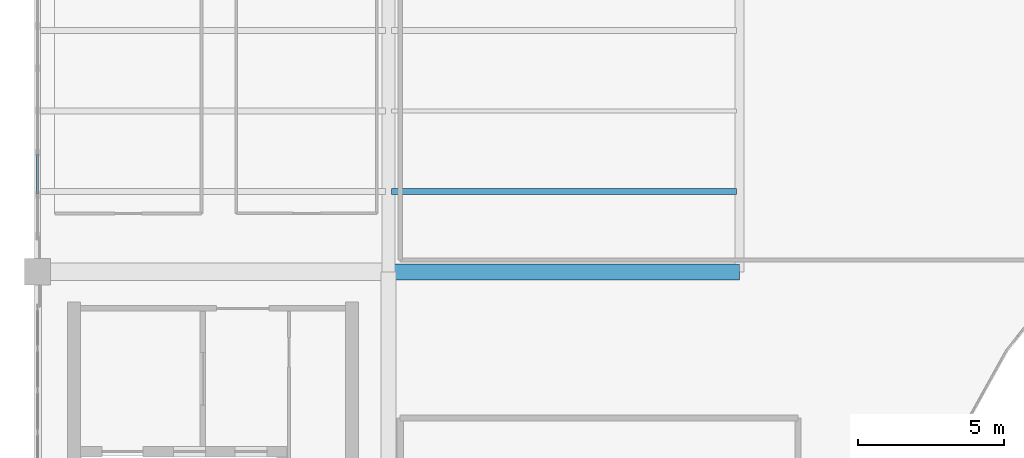
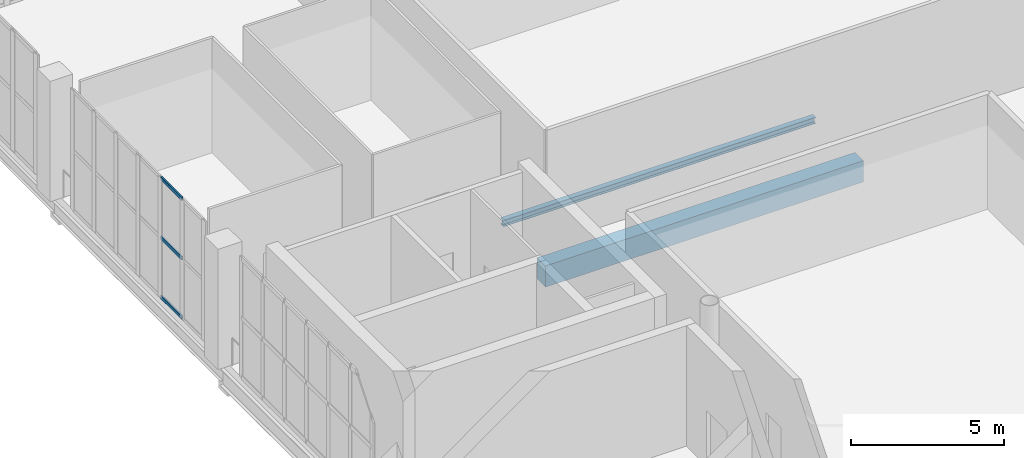
# One storey, part 22 of 49: 3 members, 2 beams, 1 element without a shape of its own.
"""IFC4 building model written with IfcOpenShell, lengths in metres."""

from ifc_helpers import new_model, si_unit, direction, frame, origin, origin_2d, place, context, subcontext, project, spatial, rectangle, hollow_rectangle, i_section, extrude, material, layer, layer_set, material_profile, profile_set, type_object, element, aggregate, save


model = new_model("IFC4")

# Units and contexts
model_context = context("Model", 3, precision=1e-05, world=origin(), true_north=direction((0.0, 1.0)))
body_context = subcontext(model_context, "Body", "Model", "MODEL_VIEW")
ifc_project = project(units=[si_unit("LENGTHUNIT", "METRE"), si_unit("AREAUNIT", "SQUARE_METRE"), si_unit("VOLUMEUNIT", "CUBIC_METRE"), si_unit("PLANEANGLEUNIT", "RADIAN"), si_unit("MASSUNIT", "GRAM", prefix="KILO")], contexts=[model_context])

# Site, building, storey
site_placement = place(None, origin())
site = spatial("IfcSite", under=ifc_project, at=site_placement, CompositionType="ELEMENT")
building_placement = place(site_placement, origin())
building = spatial("IfcBuilding", under=site, at=building_placement, Name="Brinegate Civic Arena", CompositionType="ELEMENT")
storey_placement = place(building_placement, frame((0.0, 0.0, 24.60009765625)))
storey = spatial("IfcBuildingStorey", under=building, at=storey_placement, Name="L05", CompositionType="ELEMENT", Elevation=24.60009765625)

# Curtain wall, members
ifc_material_1 = material(Name="Marine grade aluminium", Category="aluminium")
ifc_layer = layer(ifc_material_1, 0.199951171875, Name="Marine grade aluminium")
ifc_layer_set = layer_set([ifc_layer], Name="Marine grade aluminium")
curtain_wall_type = type_object("IfcCurtainWallType", Name="CW-BOWL-GLAZED-01", PredefinedType="USERDEFINED", material=ifc_layer_set)
curtain_wall_placement = place(storey_placement, origin())
curtain_wall = element("IfcCurtainWall", 1, at=curtain_wall_placement, inside=storey, type_object=curtain_wall_type, Name="Curtain Wall CWA-162", ObjectType="GLAZED CURTAIN WALL", PredefinedType="USERDEFINED")
ifc_material_profile_1 = material_profile(ifc_material_1, hollow_rectangle(XDim=0.06494140625, YDim=0.139892578125, WallThickness=0.0048828125, InnerFilletRadius=0.00390625, OuterFilletRadius=0.008056640625, at=origin_2d()), Name="TRN65X140")
ifc_profile_set_1 = profile_set([ifc_material_profile_1], Name="Marine grade aluminium")
member_type = type_object("IfcMemberType", Name="CW-TRANSOM-65X140", PredefinedType="USERDEFINED", material=ifc_profile_set_1)
member_1_placement = place(storey_placement, frame((48.0, 95.667236328125, 0.032470703125), z_axis=(0.0, 1.0, 0.0), x_axis=(-1.0, 0.0, 0.0)))
member_1 = element("IfcMember", 2, at=member_1_placement, type_object=member_type, Name="CWA-162 transom 2.1", ObjectType="TRANSOM", PredefinedType="USERDEFINED", context=body_context, shape_type="SweptSolid", body=[
    extrude(hollow_rectangle(XDim=0.06494140625, YDim=0.139892578125, WallThickness=0.0048828125, InnerFilletRadius=0.00390625, OuterFilletRadius=0.008056640625, at=origin_2d()), origin(), (0.0, 0.0, 1.0), 1.368896484375),
])
member_2_placement = place(storey_placement, frame((48.0, 95.667236328125, 2.39990234375), z_axis=(0.0, 1.0, 0.0), x_axis=(-1.0, 0.0, 0.0)))
member_2 = element("IfcMember", 3, at=member_2_placement, type_object=member_type, Name="CWA-162 transom 2.2", ObjectType="TRANSOM", PredefinedType="USERDEFINED", context=body_context, shape_type="SweptSolid", body=[
    extrude(hollow_rectangle(XDim=0.06494140625, YDim=0.139892578125, WallThickness=0.0048828125, InnerFilletRadius=0.00390625, OuterFilletRadius=0.008056640625, at=origin_2d()), origin(), (0.0, 0.0, 1.0), 1.368896484375),
])
member_3_placement = place(storey_placement, frame((48.0, 95.667236328125, 4.767333984375), z_axis=(0.0, 1.0, 0.0), x_axis=(-1.0, 0.0, 0.0)))
member_3 = element("IfcMember", 4, at=member_3_placement, type_object=member_type, Name="CWA-162 transom 2.3", ObjectType="TRANSOM", PredefinedType="USERDEFINED", context=body_context, shape_type="SweptSolid", body=[
    extrude(hollow_rectangle(XDim=0.06494140625, YDim=0.139892578125, WallThickness=0.0048828125, InnerFilletRadius=0.00390625, OuterFilletRadius=0.008056640625, at=origin_2d()), origin(), (0.0, 0.0, 1.0), 1.368896484375),
])
aggregate(curtain_wall, [member_1, member_2, member_3])

# Beams
ifc_material_2 = material(Name="Steel S355", Category="steel")
ifc_material_profile_2 = material_profile(ifc_material_2, i_section(OverallWidth=0.202880859375, OverallDepth=0.251953125, WebThickness=0.008056640625, FlangeThickness=0.013916015625, FilletRadius=0.011962890625, at=origin_2d()), Name="W250X58")
ifc_profile_set_2 = profile_set([ifc_material_profile_2], Name="Steel S355")
beam_type_1 = type_object("IfcBeamType", Name="JOIST-W250X58", PredefinedType="JOIST", material=ifc_profile_set_2)
beam_1_placement = place(storey_placement, frame((60.10595703125, 95.75, -0.4560546875), z_axis=(1.0, 0.0, 0.0), x_axis=(0.0, 1.0, 0.0)))
element("IfcBeam", 5, at=beam_1_placement, inside=storey, type_object=beam_type_1, Name="Secondary Joist BM-L05-JX-05-09-1", PredefinedType="JOIST", context=body_context, shape_type="SweptSolid", body=[
    extrude(i_section(OverallWidth=0.202880859375, OverallDepth=0.251953125, WebThickness=0.008056640625, FlangeThickness=0.013916015625, FilletRadius=0.011962890625, at=origin_2d()), origin(), (0.0, 0.0, 1.0), 11.7880859375),
])
ifc_material_3 = material(Name="Concrete C50/60", Category="concrete")
ifc_material_profile_3 = material_profile(ifc_material_3, rectangle(XDim=0.550048828125, YDim=0.85009765625, at=origin_2d()), Name="RCB550X850")
ifc_profile_set_3 = profile_set([ifc_material_profile_3], Name="Concrete C50/60")
beam_type_2 = type_object("IfcBeamType", Name="RCG-550X850", PredefinedType="BEAM", material=ifc_profile_set_3)
beam_2_placement = place(storey_placement, frame((60.0, 93.0, -0.755126953125), z_axis=(1.0, 0.0, 0.0), x_axis=(0.0, 1.0, 0.0)))
element("IfcBeam", 6, at=beam_2_placement, inside=storey, type_object=beam_type_2, Name="Floor Girder BM-L05-GX-05-09", PredefinedType="BEAM", context=body_context, shape_type="SweptSolid", body=[
    extrude(rectangle(XDim=0.550048828125, YDim=0.85009765625, at=origin_2d()), origin(), (0.0, 0.0, 1.0), 12.0),
])

save(model, "model.ifc")
